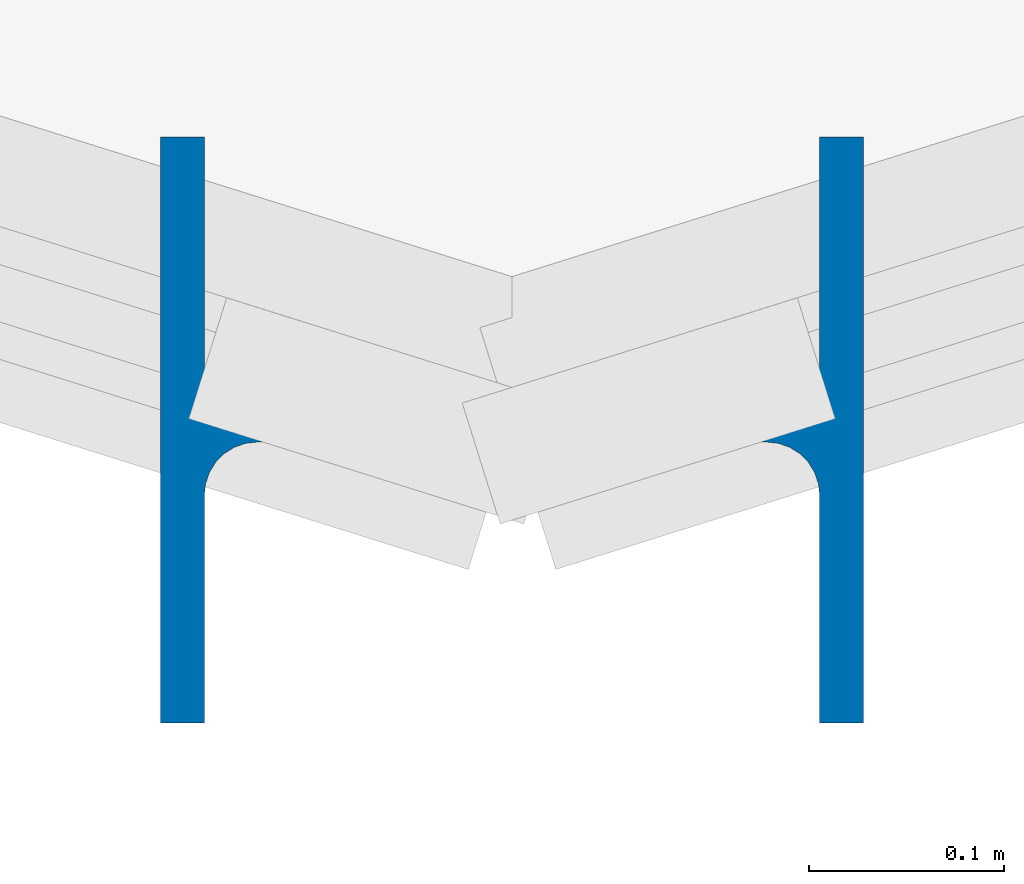
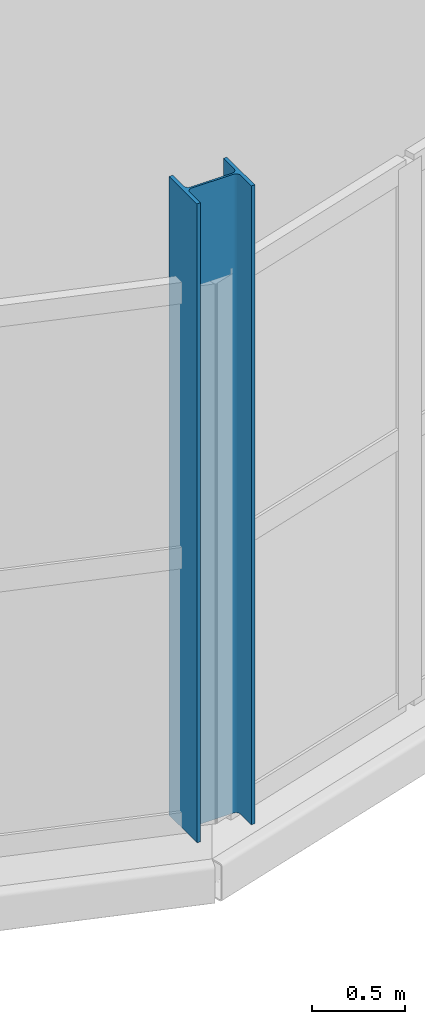
# One storey, part 20 of 161: 1 column.
"""IFC4 building model written with IfcOpenShell, lengths in metres."""

from ifc_helpers import new_model, si_unit, direction, frame, origin, origin_2d, place, context, subcontext, project, spatial, i_section, extrude, material, material_profile, profile_set, type_object, element, save


model = new_model("IFC4")

# Units and contexts
model_context = context("Model", 3, precision=1e-05, world=origin(), true_north=direction((0.0, 1.0)))
body_context = subcontext(model_context, "Body", "Model", "MODEL_VIEW")
ifc_project = project(units=[si_unit("LENGTHUNIT", "METRE"), si_unit("AREAUNIT", "SQUARE_METRE"), si_unit("VOLUMEUNIT", "CUBIC_METRE"), si_unit("PLANEANGLEUNIT", "RADIAN"), si_unit("MASSUNIT", "GRAM", prefix="KILO")], contexts=[model_context])

# Site, building, storey
site_placement = place(None, origin())
site = spatial("IfcSite", under=ifc_project, at=site_placement, CompositionType="ELEMENT")
building_placement = place(site_placement, origin())
building = spatial("IfcBuilding", under=site, at=building_placement, Name="Kildeholm Park Wholesale Market", CompositionType="ELEMENT")
storey_placement = place(building_placement, frame((0.0, 0.0, 5.39990234375)))
storey = spatial("IfcBuildingStorey", under=building, at=storey_placement, Name="L01", CompositionType="ELEMENT", Elevation=5.39990234375)

# Column
ifc_material = material(Name="Steel S355", Category="steel")
ifc_material_profile = material_profile(ifc_material, i_section(OverallWidth=0.300048828125, OverallDepth=0.360107421875, WebThickness=0.012451171875, FlangeThickness=0.0224609375, FilletRadius=0.027099609375, at=origin_2d()), Name="HEB 360")
ifc_profile_set = profile_set([ifc_material_profile], Name="Steel S355")
column_type = type_object("IfcColumnType", Name="Column C-S04 HEB 360", PredefinedType="COLUMN", material=ifc_profile_set)
column_placement = place(storey_placement, frame((188.0, 59.0, 0.0), z_axis=(0.0, 0.0, 1.0), x_axis=(0.0, -1.0, 0.0)))
element("IfcColumn", 1, at=column_placement, inside=storey, type_object=column_type, Name="Column V2-OT-12 L01 COL-0281", PredefinedType="COLUMN", context=body_context, shape_type="SweptSolid", body=[
    extrude(i_section(OverallWidth=0.300048828125, OverallDepth=0.360107421875, WebThickness=0.012451171875, FlangeThickness=0.0224609375, FilletRadius=0.027099609375, at=origin_2d()), origin(), (0.0, 0.0, 1.0), 4.2001953125),
])

save(model, "model.ifc")
